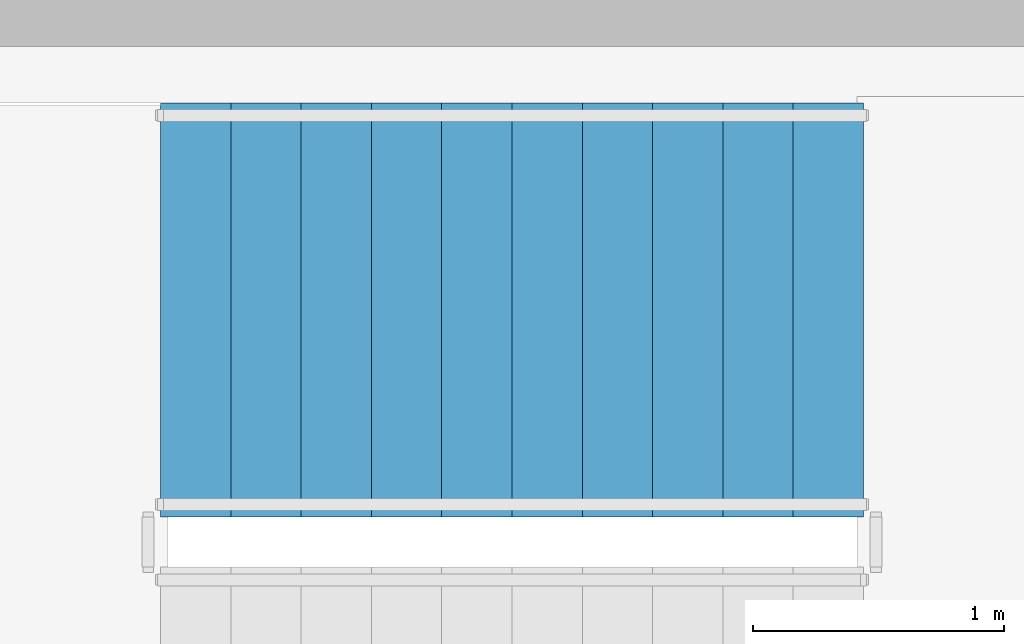
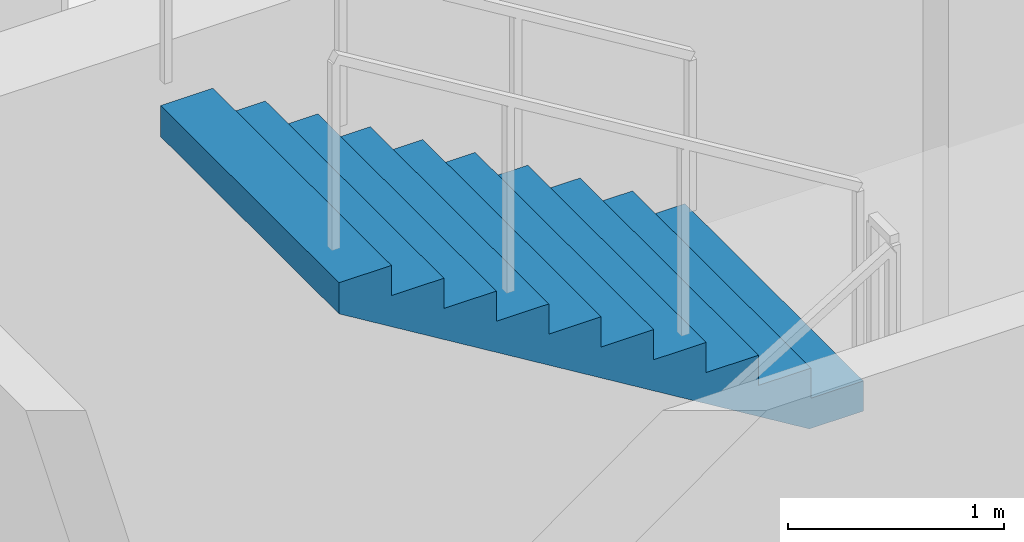
# One storey, part 20 of 23: 1 stair flight, 1 element without a shape of its own.
"""IFC4 building model written with IfcOpenShell, lengths in metres."""

from ifc_helpers import new_model, si_unit, direction, frame, origin, place, context, subcontext, project, spatial, polyline, outline, extrude, material, type_object, element, aggregate, save


model = new_model("IFC4")

# Units and contexts
model_context = context("Model", 3, precision=1e-05, world=origin(), true_north=direction((0.0, 1.0)))
body_context = subcontext(model_context, "Body", "Model", "MODEL_VIEW")
ifc_project = project(units=[si_unit("LENGTHUNIT", "METRE"), si_unit("AREAUNIT", "SQUARE_METRE"), si_unit("VOLUMEUNIT", "CUBIC_METRE"), si_unit("PLANEANGLEUNIT", "RADIAN"), si_unit("MASSUNIT", "GRAM", prefix="KILO")], contexts=[model_context])

# Site, building, storey
site_placement = place(None, origin())
site = spatial("IfcSite", under=ifc_project, at=site_placement, CompositionType="ELEMENT")
building_placement = place(site_placement, origin())
building = spatial("IfcBuilding", under=site, at=building_placement, Name="Haldenkirk Collegiate Tower", CompositionType="ELEMENT")
storey_placement = place(building_placement, frame((0.0, 0.0, 343.949951171875)))
storey = spatial("IfcBuildingStorey", under=building, at=storey_placement, Name="L87", CompositionType="ELEMENT", Elevation=343.949951171875)

# Stair, stair flight
ifc_material = material(Name="Concrete f'c 40 MPa", Category="concrete")
stair_type = type_object("IfcStairType", Name="STR-DOGLEG-1650", PredefinedType="HALF_TURN_STAIR", material=ifc_material)
stair_placement = place(storey_placement, origin())
stair = element("IfcStair", 1, at=stair_placement, inside=storey, type_object=stair_type, Name="L87 Core Exit Stair ST-3", PredefinedType="HALF_TURN_STAIR")
stair_flight_type = type_object("IfcStairFlightType", Name="STF-FLIGHT-1650", PredefinedType="STRAIGHT", material=ifc_material)
stair_flight_placement = place(storey_placement, frame((36.449951171875, 32.72509765625, 1.875), z_axis=(0.0, 0.0, 1.0), x_axis=(-1.0, 0.0, 0.0)))
stair_flight = element("IfcStairFlight", 2, at=stair_flight_placement, type_object=stair_flight_type, Name="ST-3 flight 2", NumberOfRisers=11, NumberOfTreads=10, PredefinedType="STRAIGHT", RiserHeight=0.170454545, TreadLength=0.28, context=body_context, shape_type="SweptSolid", body=[
    extrude(outline(polyline([(0.0, 0.0), (0.0, 0.17041015625), (0.280029296875, 0.17041015625), (0.280029296875, 0.3408203125), (0.56005859375, 0.3408203125), (0.56005859375, 0.511474609375), (0.840087890625, 0.511474609375), (0.840087890625, 0.681884765625), (1.1201171875, 0.681884765625), (1.1201171875, 0.852294921875), (1.39990234375, 0.852294921875), (1.39990234375, 1.022705078125), (1.679931640625, 1.022705078125), (1.679931640625, 1.193115234375), (1.9599609375, 1.193115234375), (1.9599609375, 1.363525390625), (2.239990234375, 1.363525390625), (2.239990234375, 1.5341796875), (2.52001953125, 1.5341796875), (2.52001953125, 1.70458984375), (2.800048828125, 1.70458984375), (2.800048828125, 1.875), (2.800048828125, 1.529052734375), (0.288330078125, 0.0), (0.0, 0.0)])), frame((0.0, 0.824951171875, 0.0), z_axis=(0.0, -1.0, 0.0), x_axis=(1.0, 0.0, 0.0)), (0.0, 0.0, 1.0), 1.64990234375),
])
aggregate(stair, [stair_flight])

save(model, "model.ifc")
